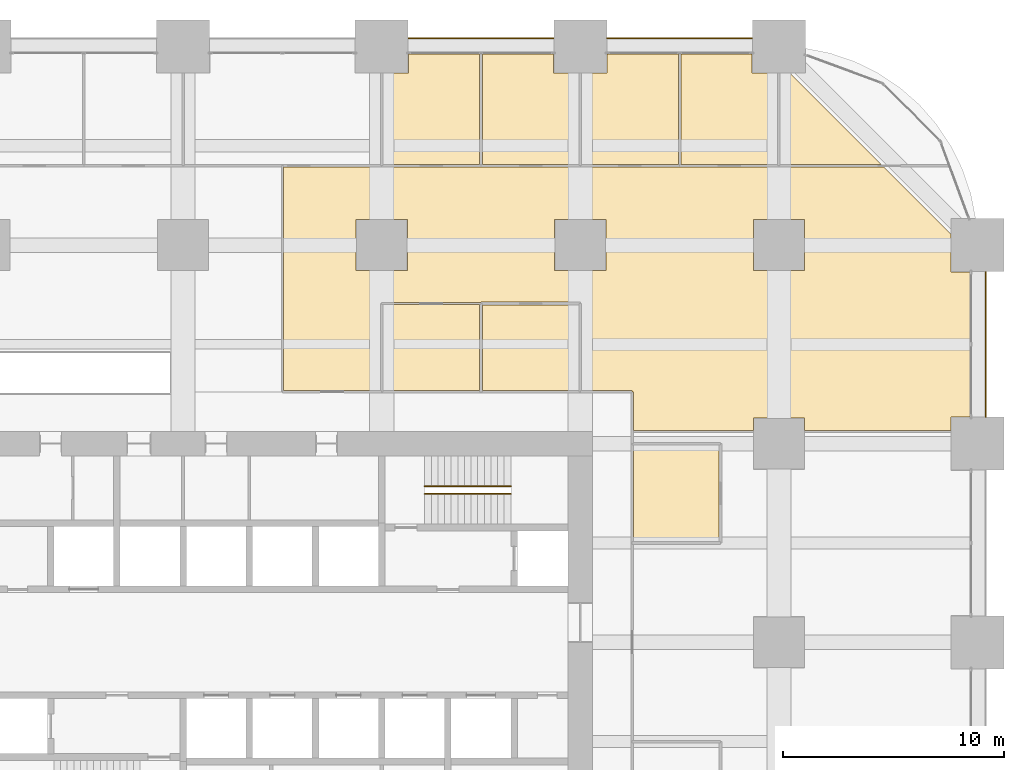
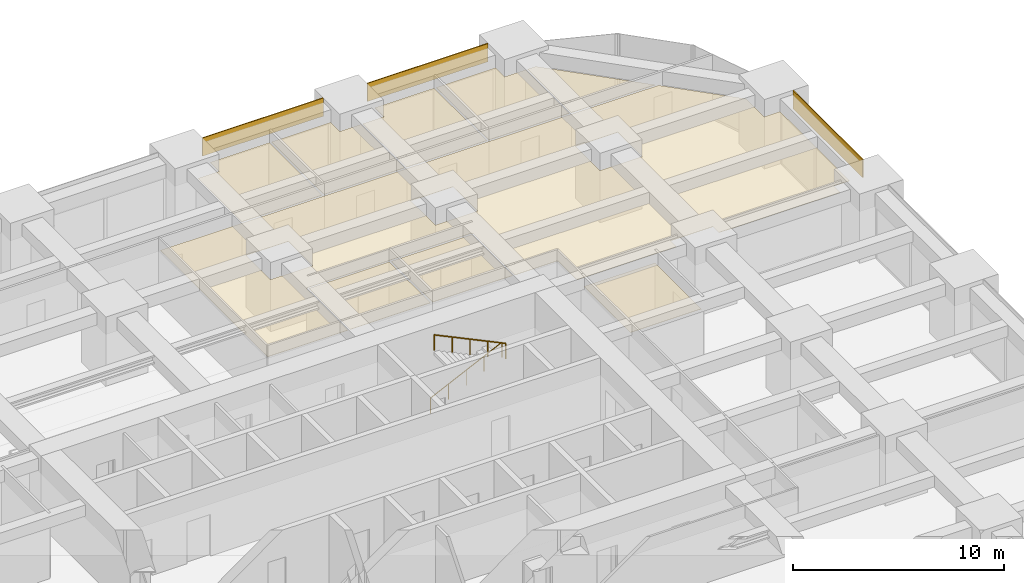
# One storey, part 44 of 44: 12 coverings, 2 railings.
"""IFC4 building model written with IfcOpenShell, lengths in metres."""

from ifc_helpers import new_model, si_unit, direction, frame, frame_2d, origin, origin_2d, place, context, subcontext, project, spatial, polyline, rectangle, circle, outline, extrude, material, layer, layer_set, type_object, element, save


model = new_model("IFC4")

# Units and contexts
model_context = context("Model", 3, precision=1e-05, world=origin(), true_north=direction((0.0, 1.0)))
body_context = subcontext(model_context, "Body", "Model", "MODEL_VIEW")
ifc_project = project(units=[si_unit("LENGTHUNIT", "METRE"), si_unit("AREAUNIT", "SQUARE_METRE"), si_unit("VOLUMEUNIT", "CUBIC_METRE"), si_unit("PLANEANGLEUNIT", "RADIAN"), si_unit("MASSUNIT", "GRAM", prefix="KILO")], contexts=[model_context])

# Site, building, storey
site_placement = place(None, origin())
site = spatial("IfcSite", under=ifc_project, at=site_placement, CompositionType="ELEMENT")
building_placement = place(site_placement, origin())
building = spatial("IfcBuilding", under=site, at=building_placement, Name="Zorevar Civic Tower", CompositionType="ELEMENT")
storey_placement = place(building_placement, frame((0.0, 0.0, 43.800048828125)))
storey = spatial("IfcBuildingStorey", under=building, at=storey_placement, Name="L10", CompositionType="ELEMENT", Elevation=43.800048828125)

# Railings
ifc_material_1 = material(Name="Black steel handrail", Category="steel")
railing_type = type_object("IfcRailingType", Name="Handrail HR1 900", PredefinedType="HANDRAIL", material=ifc_material_1)
railing_1_placement = place(storey_placement, frame((37.949951171875, 34.074951171875, 0.142822265625)))
element("IfcRailing", 1, at=railing_1_placement, inside=storey, type_object=railing_type, Name="Handrail HR1 ST2 L10", PredefinedType="HANDRAIL", context=body_context, shape_type="SweptSolid", body=[
    extrude(circle(Radius=0.02392578125, at=origin_2d()), frame((0.0, 0.0, 0.8759765625), z_axis=(0.902863652845, 0.0, 0.429926998885), x_axis=(0.0, 1.0, 0.0)), (0.0, 0.0, 1.0), 4.31982421875),
    extrude(circle(Radius=0.02099609375, at=origin_2d()), origin(), (0.0, 0.0, 1.0), 0.851806640625),
    extrude(circle(Radius=0.02099609375, at=origin_2d()), frame((0.97509765625, 0.0, 0.46435546875)), (0.0, 0.0, 1.0), 0.851806640625),
    extrude(circle(Radius=0.02099609375, at=origin_2d()), frame((1.9501953125, 0.0, 0.9287109375)), (0.0, 0.0, 1.0), 0.851806640625),
    extrude(circle(Radius=0.02099609375, at=origin_2d()), frame((2.925048828125, 0.0, 1.392822265625)), (0.0, 0.0, 1.0), 0.851806640625),
    extrude(circle(Radius=0.02099609375, at=origin_2d()), frame((3.900146484375, 0.0, 1.857177734375)), (0.0, 0.0, 1.0), 0.851806640625),
])
railing_2_placement = place(storey_placement, frame((41.85009765625, 33.72509765625, 2.142822265625)))
element("IfcRailing", 2, at=railing_2_placement, inside=storey, type_object=railing_type, Name="Handrail HR1 ST2 L10", PredefinedType="HANDRAIL", context=body_context, shape_type="SweptSolid", body=[
    extrude(circle(Radius=0.02392578125, at=origin_2d()), frame((0.0, 0.0, 0.8759765625), z_axis=(-0.902863652845, 0.0, 0.429926998885), x_axis=(0.0, -1.0, 0.0)), (0.0, 0.0, 1.0), 4.31982421875),
    extrude(circle(Radius=0.02099609375, at=origin_2d()), origin(), (0.0, 0.0, 1.0), 0.851806640625),
    extrude(circle(Radius=0.02099609375, at=origin_2d()), frame((-0.97509765625, 0.0, 0.46435546875)), (0.0, 0.0, 1.0), 0.851806640625),
    extrude(circle(Radius=0.02099609375, at=origin_2d()), frame((-1.9501953125, 0.0, 0.9287109375)), (0.0, 0.0, 1.0), 0.851806640625),
    extrude(circle(Radius=0.02099609375, at=origin_2d()), frame((-2.925048828125, 0.0, 1.392822265625)), (0.0, 0.0, 1.0), 0.851806640625),
    extrude(circle(Radius=0.02099609375, at=origin_2d()), frame((-3.900146484375, 0.0, 1.857177734375)), (0.0, 0.0, 1.0), 0.851806640625),
])

# Coverings
ifc_material_2 = material(Name="Black anodised aluminium spandrel panel", Category="aluminium")
ifc_layer_1 = layer(ifc_material_2, 0.050048828125)
ifc_layer_set_1 = layer_set([ifc_layer_1], Name="Spandrel cladding SP1")
covering_type_1 = type_object("IfcCoveringType", Name="Spandrel cladding SP1", PredefinedType="CLADDING", material=ifc_layer_set_1)
for number, where, z_axis, x_axis, name in (
    (3, (37.199951171875, 54.375, 2.949951171875), (0.0, 0.0, 1.0), (1.0, 0.0, 0.0), "Spandrel cladding L11"),
    (4, (46.199951171875, 54.375, 2.949951171875), (0.0, 0.0, 1.0), (1.0, 0.0, 0.0), "Spandrel cladding L11"),
    (5, (63.375, 37.199951171875, 2.949951171875), (0.0, 0.0, 1.0), (0.0, 1.0, 0.0), "Spandrel cladding L11"),
):
    element("IfcCovering", number, at=place(storey_placement, frame(where, z_axis=z_axis, x_axis=x_axis)), inside=storey, type_object=covering_type_1, Name=name, PredefinedType="CLADDING", context=body_context, shape_type="SweptSolid", body=[
        extrude(rectangle(XDim=6.60009765625, YDim=0.050048828125, at=frame_2d((3.300048828125, 0.0))), origin(), (0.0, 0.0, 1.0), 1.050048828125),
    ])
ifc_material_3 = material(Name="Mineral fibre tiles on a concealed grid")
ifc_layer_2 = layer(ifc_material_3, 0.02001953125)
ifc_layer_set_2 = layer_set([ifc_layer_2], Name="Suspended ceiling SC1")
covering_type_2 = type_object("IfcCoveringType", Name="Suspended ceiling SC1", PredefinedType="CEILING", material=ifc_layer_set_2)
covering_1_placement = place(storey_placement, frame((0.0, 0.0, 3.0)))
element("IfcCovering", 6, at=covering_1_placement, inside=storey, type_object=covering_type_2, Name="Ceiling L10-31", PredefinedType="CEILING", context=body_context, shape_type="SweptSolid", body=[
    extrude(outline(polyline([(36.06005859375, 48.659912109375), (36.06005859375, 52.7900390625), (37.2099609375, 52.7900390625), (37.2099609375, 53.64990234375), (40.43994140625, 53.64990234375), (40.43994140625, 48.659912109375), (36.06005859375, 48.659912109375)])), origin(), (0.0, 0.0, 1.0), 0.02001953125),
])
covering_2_placement = place(storey_placement, frame((0.0, 0.0, 3.0)))
element("IfcCovering", 7, at=covering_2_placement, inside=storey, type_object=covering_type_2, Name="Ceiling L10-32", PredefinedType="CEILING", context=body_context, shape_type="SweptSolid", body=[
    extrude(outline(polyline([(40.56005859375, 48.659912109375), (40.56005859375, 53.64990234375), (43.7900390625, 53.64990234375), (43.7900390625, 52.7900390625), (44.93994140625, 52.7900390625), (44.93994140625, 48.659912109375), (40.56005859375, 48.659912109375)])), origin(), (0.0, 0.0, 1.0), 0.02001953125),
])
covering_3_placement = place(storey_placement, frame((0.0, 0.0, 3.0)))
element("IfcCovering", 8, at=covering_3_placement, inside=storey, type_object=covering_type_2, Name="Ceiling L10-33", PredefinedType="CEILING", context=body_context, shape_type="SweptSolid", body=[
    extrude(outline(polyline([(45.06005859375, 48.659912109375), (45.06005859375, 52.7900390625), (46.2099609375, 52.7900390625), (46.2099609375, 53.64990234375), (49.43994140625, 53.64990234375), (49.43994140625, 48.659912109375), (45.06005859375, 48.659912109375)])), origin(), (0.0, 0.0, 1.0), 0.02001953125),
])
covering_4_placement = place(storey_placement, frame((0.0, 0.0, 3.0)))
element("IfcCovering", 9, at=covering_4_placement, inside=storey, type_object=covering_type_2, Name="Ceiling L10-34", PredefinedType="CEILING", context=body_context, shape_type="SweptSolid", body=[
    extrude(outline(polyline([(49.56005859375, 48.659912109375), (49.56005859375, 53.64990234375), (52.7900390625, 53.64990234375), (52.7900390625, 52.7900390625), (53.93994140625, 52.7900390625), (53.93994140625, 48.659912109375), (49.56005859375, 48.659912109375)])), origin(), (0.0, 0.0, 1.0), 0.02001953125),
])
covering_5_placement = place(storey_placement, frame((0.0, 0.0, 3.0)))
element("IfcCovering", 10, at=covering_5_placement, inside=storey, type_object=covering_type_2, Name="Ceiling L10-36", PredefinedType="CEILING", context=body_context, shape_type="SweptSolid", body=[
    extrude(outline(polyline([(36.06005859375, 38.409912109375), (36.06005859375, 42.300048828125), (40.43994140625, 42.300048828125), (40.43994140625, 38.409912109375), (36.06005859375, 38.409912109375)])), origin(), (0.0, 0.0, 1.0), 0.02001953125),
])
covering_6_placement = place(storey_placement, frame((0.0, 0.0, 3.0)))
element("IfcCovering", 11, at=covering_6_placement, inside=storey, type_object=covering_type_2, Name="Ceiling L10-37", PredefinedType="CEILING", context=body_context, shape_type="SweptSolid", body=[
    extrude(outline(polyline([(40.56005859375, 38.409912109375), (40.56005859375, 42.2900390625), (44.93994140625, 42.2900390625), (44.93994140625, 38.409912109375), (40.56005859375, 38.409912109375)])), origin(), (0.0, 0.0, 1.0), 0.02001953125),
])
covering_7_placement = place(storey_placement, frame((0.0, 0.0, 3.0)))
element("IfcCovering", 12, at=covering_7_placement, inside=storey, type_object=covering_type_2, Name="Ceiling L10-39", PredefinedType="CEILING", context=body_context, shape_type="SweptSolid", body=[
    extrude(outline(polyline([(47.409912109375, 31.56005859375), (47.409912109375, 35.93994140625), (51.2900390625, 35.93994140625), (51.2900390625, 31.56005859375), (47.409912109375, 31.56005859375)])), origin(), (0.0, 0.0, 1.0), 0.02001953125),
])
covering_8_placement = place(storey_placement, frame((0.0, 0.0, 3.0)))
element("IfcCovering", 13, at=covering_8_placement, inside=storey, type_object=covering_type_2, Name="Ceiling L10-43", PredefinedType="CEILING", context=body_context, shape_type="SweptSolid", body=[
    extrude(outline(polyline([(54.06005859375, 48.659912109375), (54.06005859375, 52.7900390625), (54.5029296875, 52.7900390625), (58.6328125, 48.659912109375), (54.06005859375, 48.659912109375)])), origin(), (0.0, 0.0, 1.0), 0.02001953125),
])
covering_9_placement = place(storey_placement, frame((0.0, 0.0, 3.0)))
element("IfcCovering", 14, at=covering_9_placement, inside=storey, type_object=covering_type_2, Name="Ceiling L10-47", PredefinedType="CEILING", context=body_context, shape_type="SweptSolid", body=[
    extrude(outline(polyline([(45.0, 42.35009765625), (45.0, 42.409912109375), (40.5, 42.409912109375), (40.5, 42.39990234375), (36.0, 42.39990234375), (36.0, 42.35009765625), (35.93994140625, 42.35009765625), (35.93994140625, 38.39990234375), (31.550048828125, 38.39990234375), (31.550048828125, 48.5400390625), (58.7529296875, 48.5400390625), (61.7900390625, 45.5029296875), (61.7900390625, 43.7900390625), (62.64990234375, 43.7900390625), (62.64990234375, 37.2099609375), (61.7900390625, 37.2099609375), (61.7900390625, 36.60009765625), (55.159912109375, 36.60009765625), (55.159912109375, 37.159912109375), (52.840087890625, 37.159912109375), (52.840087890625, 36.60009765625), (47.39990234375, 36.60009765625), (47.39990234375, 38.35009765625), (47.35009765625, 38.35009765625), (47.35009765625, 38.39990234375), (45.06005859375, 38.39990234375), (45.06005859375, 42.35009765625), (45.0, 42.35009765625)]), holes=[polyline([(34.840087890625, 43.840087890625), (37.159912109375, 43.840087890625), (37.159912109375, 46.159912109375), (34.840087890625, 46.159912109375), (34.840087890625, 43.840087890625)]), polyline([(43.840087890625, 46.159912109375), (43.840087890625, 43.840087890625), (46.159912109375, 43.840087890625), (46.159912109375, 46.159912109375), (43.840087890625, 46.159912109375)]), polyline([(55.159912109375, 43.840087890625), (55.159912109375, 46.159912109375), (52.840087890625, 46.159912109375), (52.840087890625, 43.840087890625), (55.159912109375, 43.840087890625)])]), origin(), (0.0, 0.0, 1.0), 0.02001953125),
])

save(model, "model.ifc")
